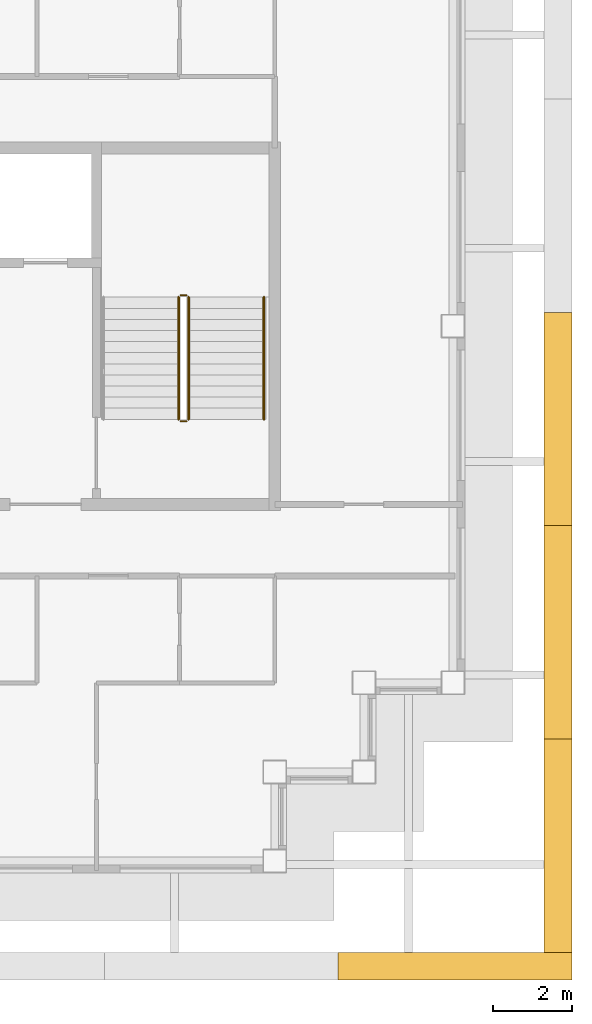
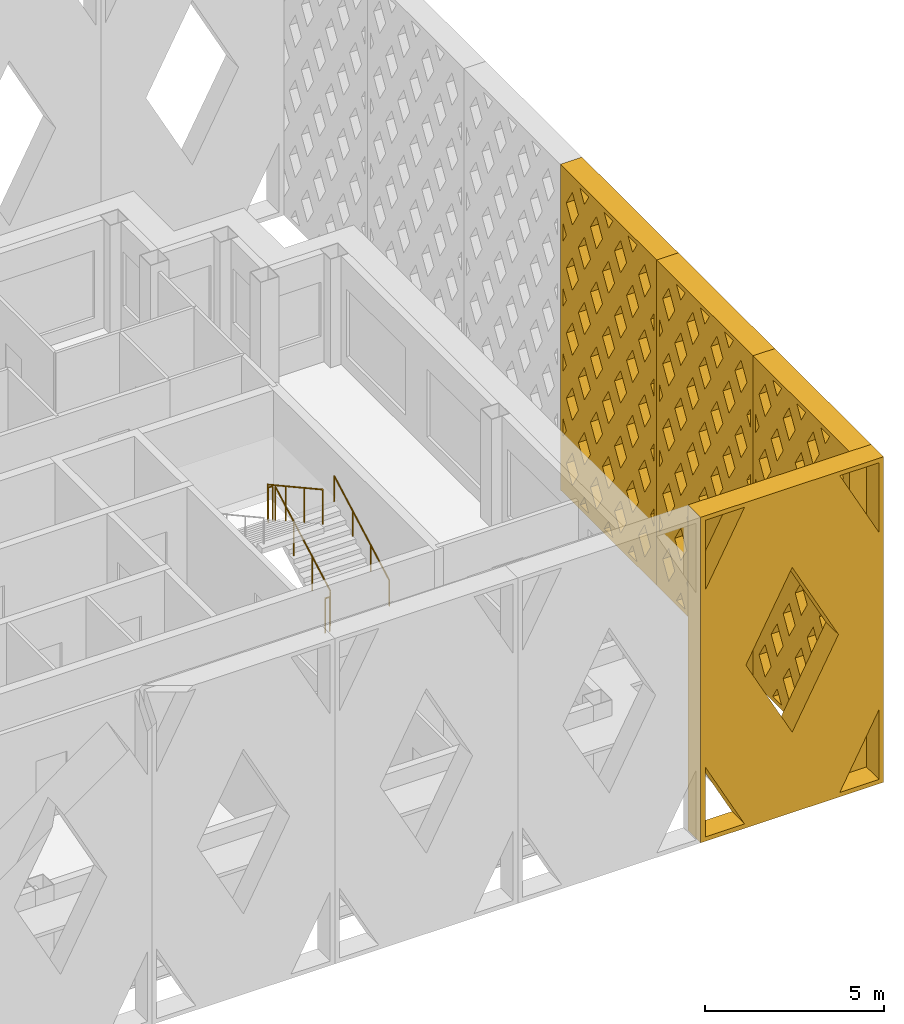
# One storey, part 12 of 13: 5 railings, 4 shading devices.
"""IFC4 building model written with IfcOpenShell, lengths in metres."""

from ifc_helpers import new_model, si_unit, direction, frame, origin, origin_2d, place, context, subcontext, project, spatial, polyline, circle, outline, extrude, material, type_object, element, save


model = new_model("IFC4")

# Units and contexts
model_context = context("Model", 3, precision=1e-05, world=origin(), true_north=direction((0.0, 1.0)))
body_context = subcontext(model_context, "Body", "Model", "MODEL_VIEW")
ifc_project = project(units=[si_unit("LENGTHUNIT", "METRE"), si_unit("AREAUNIT", "SQUARE_METRE"), si_unit("VOLUMEUNIT", "CUBIC_METRE"), si_unit("PLANEANGLEUNIT", "RADIAN"), si_unit("MASSUNIT", "GRAM", prefix="KILO")], contexts=[model_context])

# Site, building, storey
site_placement = place(None, origin())
site = spatial("IfcSite", under=ifc_project, at=site_placement, CompositionType="ELEMENT")
building_placement = place(site_placement, origin())
building = spatial("IfcBuilding", under=site, at=building_placement, Name="Caravel Reach Hotel and Residences", CompositionType="ELEMENT")
storey_placement = place(building_placement, frame((0.0, 0.0, 267.5)))
storey = spatial("IfcBuildingStorey", under=building, at=storey_placement, Name="L68", CompositionType="ELEMENT", Elevation=267.5)

# Shading devices
ifc_material_1 = material(Name="Black powder-coated aluminium", Category="aluminium")
shading_device_type_1 = type_object("IfcShadingDeviceType", Name="Diamond lattice screen panel 5383 x 11100", PredefinedType="USERDEFINED", material=ifc_material_1)
shading_device_1_placement = place(storey_placement, frame((51.800048828125, 11.199951171875, 0.0), z_axis=(1.0, 0.0, 0.0), x_axis=(0.0, 1.0, 0.0)))
element("IfcShadingDevice", 1, at=shading_device_1_placement, inside=storey, type_object=shading_device_type_1, Name="Lattice screen L68-L70 4.1", ObjectType="SCREEN", PredefinedType="USERDEFINED", context=body_context, shape_type="SweptSolid", body=[
    extrude(outline(polyline([(0.0, 0.0), (5.38330078125, 0.0), (5.38330078125, 11.10009765625), (0.0, 11.10009765625), (0.0, 0.0)]), holes=[polyline([(0.338134765625, 2.219970703125), (0.14990234375, 2.530517578125), (0.14990234375, 1.90966796875), (0.338134765625, 2.219970703125)]), polyline([(0.338134765625, 4.43994140625), (0.14990234375, 4.75048828125), (0.14990234375, 4.129638671875), (0.338134765625, 4.43994140625)]), polyline([(0.338134765625, 6.659912109375), (0.14990234375, 6.970458984375), (0.14990234375, 6.349609375), (0.338134765625, 6.659912109375)]), polyline([(0.338134765625, 8.8798828125), (0.14990234375, 9.1904296875), (0.14990234375, 8.569580078125), (0.338134765625, 8.8798828125)]), polyline([(0.6728515625, 1.667724609375), (0.334716796875, 1.110107421875), (0.6728515625, 0.55224609375), (1.010986328125, 1.110107421875), (0.6728515625, 1.667724609375)]), polyline([(0.6728515625, 3.887939453125), (0.334716796875, 3.330078125), (0.6728515625, 2.772216796875), (1.010986328125, 3.330078125), (0.6728515625, 3.887939453125)]), polyline([(0.6728515625, 6.10791015625), (0.334716796875, 5.550048828125), (0.6728515625, 4.9921875), (1.010986328125, 5.550048828125), (0.6728515625, 6.10791015625)]), polyline([(0.6728515625, 8.327880859375), (0.334716796875, 7.77001953125), (0.6728515625, 7.212158203125), (1.010986328125, 7.77001953125), (0.6728515625, 8.327880859375)]), polyline([(0.6728515625, 10.5478515625), (0.334716796875, 9.989990234375), (0.6728515625, 9.43212890625), (1.010986328125, 9.989990234375), (0.6728515625, 10.5478515625)]), polyline([(1.345947265625, 0.557861328125), (1.0986328125, 0.14990234375), (1.593017578125, 0.14990234375), (1.345947265625, 0.557861328125)]), polyline([(1.345947265625, 2.77783203125), (1.007568359375, 2.219970703125), (1.345947265625, 1.662109375), (1.68408203125, 2.219970703125), (1.345947265625, 2.77783203125)]), polyline([(1.345947265625, 4.997802734375), (1.007568359375, 4.43994140625), (1.345947265625, 3.882080078125), (1.68408203125, 4.43994140625), (1.345947265625, 4.997802734375)]), polyline([(1.345947265625, 7.2177734375), (1.007568359375, 6.659912109375), (1.345947265625, 6.10205078125), (1.68408203125, 6.659912109375), (1.345947265625, 7.2177734375)]), polyline([(1.345947265625, 9.437744140625), (1.007568359375, 8.8798828125), (1.345947265625, 8.322265625), (1.68408203125, 8.8798828125), (1.345947265625, 9.437744140625)]), polyline([(1.345947265625, 10.542236328125), (1.593017578125, 10.949951171875), (1.0986328125, 10.949951171875), (1.345947265625, 10.542236328125)]), polyline([(2.018798828125, 1.667724609375), (1.6806640625, 1.110107421875), (2.018798828125, 0.55224609375), (2.35693359375, 1.110107421875), (2.018798828125, 1.667724609375)]), polyline([(2.018798828125, 3.887939453125), (1.6806640625, 3.330078125), (2.018798828125, 2.772216796875), (2.35693359375, 3.330078125), (2.018798828125, 3.887939453125)]), polyline([(2.018798828125, 6.10791015625), (1.6806640625, 5.550048828125), (2.018798828125, 4.9921875), (2.35693359375, 5.550048828125), (2.018798828125, 6.10791015625)]), polyline([(2.018798828125, 8.327880859375), (1.6806640625, 7.77001953125), (2.018798828125, 7.212158203125), (2.35693359375, 7.77001953125), (2.018798828125, 8.327880859375)]), polyline([(2.018798828125, 10.5478515625), (1.6806640625, 9.989990234375), (2.018798828125, 9.43212890625), (2.35693359375, 9.989990234375), (2.018798828125, 10.5478515625)]), polyline([(2.691650390625, 0.557861328125), (2.4443359375, 0.14990234375), (2.93896484375, 0.14990234375), (2.691650390625, 0.557861328125)]), polyline([(2.691650390625, 2.77783203125), (2.353515625, 2.219970703125), (2.691650390625, 1.662109375), (3.02978515625, 2.219970703125), (2.691650390625, 2.77783203125)]), polyline([(2.691650390625, 4.997802734375), (2.353515625, 4.43994140625), (2.691650390625, 3.882080078125), (3.02978515625, 4.43994140625), (2.691650390625, 4.997802734375)]), polyline([(2.691650390625, 7.2177734375), (2.353515625, 6.659912109375), (2.691650390625, 6.10205078125), (3.02978515625, 6.659912109375), (2.691650390625, 7.2177734375)]), polyline([(2.691650390625, 9.437744140625), (2.353515625, 8.8798828125), (2.691650390625, 8.322265625), (3.02978515625, 8.8798828125), (2.691650390625, 9.437744140625)]), polyline([(2.691650390625, 10.542236328125), (2.93896484375, 10.949951171875), (2.4443359375, 10.949951171875), (2.691650390625, 10.542236328125)]), polyline([(3.364501953125, 1.667724609375), (3.0263671875, 1.110107421875), (3.364501953125, 0.55224609375), (3.702880859375, 1.110107421875), (3.364501953125, 1.667724609375)]), polyline([(3.364501953125, 3.887939453125), (3.0263671875, 3.330078125), (3.364501953125, 2.772216796875), (3.702880859375, 3.330078125), (3.364501953125, 3.887939453125)]), polyline([(3.364501953125, 6.10791015625), (3.0263671875, 5.550048828125), (3.364501953125, 4.9921875), (3.702880859375, 5.550048828125), (3.364501953125, 6.10791015625)]), polyline([(3.364501953125, 8.327880859375), (3.0263671875, 7.77001953125), (3.364501953125, 7.212158203125), (3.702880859375, 7.77001953125), (3.364501953125, 8.327880859375)]), polyline([(3.364501953125, 10.5478515625), (3.0263671875, 9.989990234375), (3.364501953125, 9.43212890625), (3.702880859375, 9.989990234375), (3.364501953125, 10.5478515625)]), polyline([(4.03759765625, 0.557861328125), (3.790283203125, 0.14990234375), (4.28466796875, 0.14990234375), (4.03759765625, 0.557861328125)]), polyline([(4.03759765625, 2.77783203125), (3.69921875, 2.219970703125), (4.03759765625, 1.662109375), (4.375732421875, 2.219970703125), (4.03759765625, 2.77783203125)]), polyline([(4.03759765625, 4.997802734375), (3.69921875, 4.43994140625), (4.03759765625, 3.882080078125), (4.375732421875, 4.43994140625), (4.03759765625, 4.997802734375)]), polyline([(4.03759765625, 7.2177734375), (3.69921875, 6.659912109375), (4.03759765625, 6.10205078125), (4.375732421875, 6.659912109375), (4.03759765625, 7.2177734375)]), polyline([(4.03759765625, 9.437744140625), (3.69921875, 8.8798828125), (4.03759765625, 8.322265625), (4.375732421875, 8.8798828125), (4.03759765625, 9.437744140625)]), polyline([(4.03759765625, 10.542236328125), (4.28466796875, 10.949951171875), (3.790283203125, 10.949951171875), (4.03759765625, 10.542236328125)]), polyline([(4.71044921875, 1.667724609375), (4.372314453125, 1.110107421875), (4.71044921875, 0.55224609375), (5.048583984375, 1.110107421875), (4.71044921875, 1.667724609375)]), polyline([(4.71044921875, 3.887939453125), (4.372314453125, 3.330078125), (4.71044921875, 2.772216796875), (5.048583984375, 3.330078125), (4.71044921875, 3.887939453125)]), polyline([(4.71044921875, 6.10791015625), (4.372314453125, 5.550048828125), (4.71044921875, 4.9921875), (5.048583984375, 5.550048828125), (4.71044921875, 6.10791015625)]), polyline([(4.71044921875, 8.327880859375), (4.372314453125, 7.77001953125), (4.71044921875, 7.212158203125), (5.048583984375, 7.77001953125), (4.71044921875, 8.327880859375)]), polyline([(4.71044921875, 10.5478515625), (4.372314453125, 9.989990234375), (4.71044921875, 9.43212890625), (5.048583984375, 9.989990234375), (4.71044921875, 10.5478515625)]), polyline([(5.045166015625, 2.219970703125), (5.2333984375, 1.90966796875), (5.2333984375, 2.530517578125), (5.045166015625, 2.219970703125)]), polyline([(5.045166015625, 4.43994140625), (5.2333984375, 4.129638671875), (5.2333984375, 4.75048828125), (5.045166015625, 4.43994140625)]), polyline([(5.045166015625, 6.659912109375), (5.2333984375, 6.349609375), (5.2333984375, 6.970458984375), (5.045166015625, 6.659912109375)]), polyline([(5.045166015625, 8.8798828125), (5.2333984375, 8.569580078125), (5.2333984375, 9.1904296875), (5.045166015625, 8.8798828125)])]), origin(), (0.0, 0.0, 1.0), 0.699951171875),
])
shading_device_2_placement = place(storey_placement, frame((51.800048828125, 16.583251953125, 0.0), z_axis=(1.0, 0.0, 0.0), x_axis=(0.0, 1.0, 0.0)))
element("IfcShadingDevice", 2, at=shading_device_2_placement, inside=storey, type_object=shading_device_type_1, Name="Lattice screen L68-L70 4.2", ObjectType="SCREEN", PredefinedType="USERDEFINED", context=body_context, shape_type="SweptSolid", body=[
    extrude(outline(polyline([(0.0, 0.0), (5.38330078125, 0.0), (5.38330078125, 11.10009765625), (0.0, 11.10009765625), (0.0, 0.0)]), holes=[polyline([(0.338134765625, 2.219970703125), (0.14990234375, 2.530517578125), (0.14990234375, 1.90966796875), (0.338134765625, 2.219970703125)]), polyline([(0.338134765625, 4.43994140625), (0.14990234375, 4.75048828125), (0.14990234375, 4.129638671875), (0.338134765625, 4.43994140625)]), polyline([(0.338134765625, 6.659912109375), (0.14990234375, 6.970458984375), (0.14990234375, 6.349609375), (0.338134765625, 6.659912109375)]), polyline([(0.338134765625, 8.8798828125), (0.14990234375, 9.1904296875), (0.14990234375, 8.569580078125), (0.338134765625, 8.8798828125)]), polyline([(0.6728515625, 1.667724609375), (0.334716796875, 1.110107421875), (0.6728515625, 0.55224609375), (1.010986328125, 1.110107421875), (0.6728515625, 1.667724609375)]), polyline([(0.6728515625, 3.887939453125), (0.334716796875, 3.330078125), (0.6728515625, 2.772216796875), (1.010986328125, 3.330078125), (0.6728515625, 3.887939453125)]), polyline([(0.6728515625, 6.10791015625), (0.334716796875, 5.550048828125), (0.6728515625, 4.9921875), (1.010986328125, 5.550048828125), (0.6728515625, 6.10791015625)]), polyline([(0.6728515625, 8.327880859375), (0.334716796875, 7.77001953125), (0.6728515625, 7.212158203125), (1.010986328125, 7.77001953125), (0.6728515625, 8.327880859375)]), polyline([(0.6728515625, 10.5478515625), (0.334716796875, 9.989990234375), (0.6728515625, 9.43212890625), (1.010986328125, 9.989990234375), (0.6728515625, 10.5478515625)]), polyline([(1.345947265625, 0.557861328125), (1.0986328125, 0.14990234375), (1.593017578125, 0.14990234375), (1.345947265625, 0.557861328125)]), polyline([(1.345947265625, 2.77783203125), (1.007568359375, 2.219970703125), (1.345947265625, 1.662109375), (1.68408203125, 2.219970703125), (1.345947265625, 2.77783203125)]), polyline([(1.345947265625, 4.997802734375), (1.007568359375, 4.43994140625), (1.345947265625, 3.882080078125), (1.68408203125, 4.43994140625), (1.345947265625, 4.997802734375)]), polyline([(1.345947265625, 7.2177734375), (1.007568359375, 6.659912109375), (1.345947265625, 6.10205078125), (1.68408203125, 6.659912109375), (1.345947265625, 7.2177734375)]), polyline([(1.345947265625, 9.437744140625), (1.007568359375, 8.8798828125), (1.345947265625, 8.322265625), (1.68408203125, 8.8798828125), (1.345947265625, 9.437744140625)]), polyline([(1.345947265625, 10.542236328125), (1.593017578125, 10.949951171875), (1.0986328125, 10.949951171875), (1.345947265625, 10.542236328125)]), polyline([(2.018798828125, 1.667724609375), (1.6806640625, 1.110107421875), (2.018798828125, 0.55224609375), (2.35693359375, 1.110107421875), (2.018798828125, 1.667724609375)]), polyline([(2.018798828125, 3.887939453125), (1.6806640625, 3.330078125), (2.018798828125, 2.772216796875), (2.35693359375, 3.330078125), (2.018798828125, 3.887939453125)]), polyline([(2.018798828125, 6.10791015625), (1.6806640625, 5.550048828125), (2.018798828125, 4.9921875), (2.35693359375, 5.550048828125), (2.018798828125, 6.10791015625)]), polyline([(2.018798828125, 8.327880859375), (1.6806640625, 7.77001953125), (2.018798828125, 7.212158203125), (2.35693359375, 7.77001953125), (2.018798828125, 8.327880859375)]), polyline([(2.018798828125, 10.5478515625), (1.6806640625, 9.989990234375), (2.018798828125, 9.43212890625), (2.35693359375, 9.989990234375), (2.018798828125, 10.5478515625)]), polyline([(2.691650390625, 0.557861328125), (2.4443359375, 0.14990234375), (2.93896484375, 0.14990234375), (2.691650390625, 0.557861328125)]), polyline([(2.691650390625, 2.77783203125), (2.353515625, 2.219970703125), (2.691650390625, 1.662109375), (3.02978515625, 2.219970703125), (2.691650390625, 2.77783203125)]), polyline([(2.691650390625, 4.997802734375), (2.353515625, 4.43994140625), (2.691650390625, 3.882080078125), (3.02978515625, 4.43994140625), (2.691650390625, 4.997802734375)]), polyline([(2.691650390625, 7.2177734375), (2.353515625, 6.659912109375), (2.691650390625, 6.10205078125), (3.02978515625, 6.659912109375), (2.691650390625, 7.2177734375)]), polyline([(2.691650390625, 9.437744140625), (2.353515625, 8.8798828125), (2.691650390625, 8.322265625), (3.02978515625, 8.8798828125), (2.691650390625, 9.437744140625)]), polyline([(2.691650390625, 10.542236328125), (2.93896484375, 10.949951171875), (2.4443359375, 10.949951171875), (2.691650390625, 10.542236328125)]), polyline([(3.364501953125, 1.667724609375), (3.0263671875, 1.110107421875), (3.364501953125, 0.55224609375), (3.702880859375, 1.110107421875), (3.364501953125, 1.667724609375)]), polyline([(3.364501953125, 3.887939453125), (3.0263671875, 3.330078125), (3.364501953125, 2.772216796875), (3.702880859375, 3.330078125), (3.364501953125, 3.887939453125)]), polyline([(3.364501953125, 6.10791015625), (3.0263671875, 5.550048828125), (3.364501953125, 4.9921875), (3.702880859375, 5.550048828125), (3.364501953125, 6.10791015625)]), polyline([(3.364501953125, 8.327880859375), (3.0263671875, 7.77001953125), (3.364501953125, 7.212158203125), (3.702880859375, 7.77001953125), (3.364501953125, 8.327880859375)]), polyline([(3.364501953125, 10.5478515625), (3.0263671875, 9.989990234375), (3.364501953125, 9.43212890625), (3.702880859375, 9.989990234375), (3.364501953125, 10.5478515625)]), polyline([(4.03759765625, 0.557861328125), (3.790283203125, 0.14990234375), (4.28466796875, 0.14990234375), (4.03759765625, 0.557861328125)]), polyline([(4.03759765625, 2.77783203125), (3.69921875, 2.219970703125), (4.03759765625, 1.662109375), (4.375732421875, 2.219970703125), (4.03759765625, 2.77783203125)]), polyline([(4.03759765625, 4.997802734375), (3.69921875, 4.43994140625), (4.03759765625, 3.882080078125), (4.375732421875, 4.43994140625), (4.03759765625, 4.997802734375)]), polyline([(4.03759765625, 7.2177734375), (3.69921875, 6.659912109375), (4.03759765625, 6.10205078125), (4.375732421875, 6.659912109375), (4.03759765625, 7.2177734375)]), polyline([(4.03759765625, 9.437744140625), (3.69921875, 8.8798828125), (4.03759765625, 8.322265625), (4.375732421875, 8.8798828125), (4.03759765625, 9.437744140625)]), polyline([(4.03759765625, 10.542236328125), (4.28466796875, 10.949951171875), (3.790283203125, 10.949951171875), (4.03759765625, 10.542236328125)]), polyline([(4.71044921875, 1.667724609375), (4.372314453125, 1.110107421875), (4.71044921875, 0.55224609375), (5.048583984375, 1.110107421875), (4.71044921875, 1.667724609375)]), polyline([(4.71044921875, 3.887939453125), (4.372314453125, 3.330078125), (4.71044921875, 2.772216796875), (5.048583984375, 3.330078125), (4.71044921875, 3.887939453125)]), polyline([(4.71044921875, 6.10791015625), (4.372314453125, 5.550048828125), (4.71044921875, 4.9921875), (5.048583984375, 5.550048828125), (4.71044921875, 6.10791015625)]), polyline([(4.71044921875, 8.327880859375), (4.372314453125, 7.77001953125), (4.71044921875, 7.212158203125), (5.048583984375, 7.77001953125), (4.71044921875, 8.327880859375)]), polyline([(4.71044921875, 10.5478515625), (4.372314453125, 9.989990234375), (4.71044921875, 9.43212890625), (5.048583984375, 9.989990234375), (4.71044921875, 10.5478515625)]), polyline([(5.045166015625, 2.219970703125), (5.2333984375, 1.90966796875), (5.2333984375, 2.530517578125), (5.045166015625, 2.219970703125)]), polyline([(5.045166015625, 4.43994140625), (5.2333984375, 4.129638671875), (5.2333984375, 4.75048828125), (5.045166015625, 4.43994140625)]), polyline([(5.045166015625, 6.659912109375), (5.2333984375, 6.349609375), (5.2333984375, 6.970458984375), (5.045166015625, 6.659912109375)]), polyline([(5.045166015625, 8.8798828125), (5.2333984375, 8.569580078125), (5.2333984375, 9.1904296875), (5.045166015625, 8.8798828125)])]), origin(), (0.0, 0.0, 1.0), 0.699951171875),
])
shading_device_3_placement = place(storey_placement, frame((51.800048828125, 21.966552734375, 0.0), z_axis=(1.0, 0.0, 0.0), x_axis=(0.0, 1.0, 0.0)))
element("IfcShadingDevice", 3, at=shading_device_3_placement, inside=storey, type_object=shading_device_type_1, Name="Lattice screen L68-L70 4.3", ObjectType="SCREEN", PredefinedType="USERDEFINED", context=body_context, shape_type="SweptSolid", body=[
    extrude(outline(polyline([(0.0, 0.0), (5.38330078125, 0.0), (5.38330078125, 11.10009765625), (0.0, 11.10009765625), (0.0, 0.0)]), holes=[polyline([(0.338134765625, 2.219970703125), (0.14990234375, 2.530517578125), (0.14990234375, 1.90966796875), (0.338134765625, 2.219970703125)]), polyline([(0.338134765625, 4.43994140625), (0.14990234375, 4.75048828125), (0.14990234375, 4.129638671875), (0.338134765625, 4.43994140625)]), polyline([(0.338134765625, 6.659912109375), (0.14990234375, 6.970458984375), (0.14990234375, 6.349609375), (0.338134765625, 6.659912109375)]), polyline([(0.338134765625, 8.8798828125), (0.14990234375, 9.1904296875), (0.14990234375, 8.569580078125), (0.338134765625, 8.8798828125)]), polyline([(0.6728515625, 1.667724609375), (0.334716796875, 1.110107421875), (0.6728515625, 0.55224609375), (1.010986328125, 1.110107421875), (0.6728515625, 1.667724609375)]), polyline([(0.6728515625, 3.887939453125), (0.334716796875, 3.330078125), (0.6728515625, 2.772216796875), (1.010986328125, 3.330078125), (0.6728515625, 3.887939453125)]), polyline([(0.6728515625, 6.10791015625), (0.334716796875, 5.550048828125), (0.6728515625, 4.9921875), (1.010986328125, 5.550048828125), (0.6728515625, 6.10791015625)]), polyline([(0.6728515625, 8.327880859375), (0.334716796875, 7.77001953125), (0.6728515625, 7.212158203125), (1.010986328125, 7.77001953125), (0.6728515625, 8.327880859375)]), polyline([(0.6728515625, 10.5478515625), (0.334716796875, 9.989990234375), (0.6728515625, 9.43212890625), (1.010986328125, 9.989990234375), (0.6728515625, 10.5478515625)]), polyline([(1.345947265625, 0.557861328125), (1.0986328125, 0.14990234375), (1.593017578125, 0.14990234375), (1.345947265625, 0.557861328125)]), polyline([(1.345947265625, 2.77783203125), (1.007568359375, 2.219970703125), (1.345947265625, 1.662109375), (1.68408203125, 2.219970703125), (1.345947265625, 2.77783203125)]), polyline([(1.345947265625, 4.997802734375), (1.007568359375, 4.43994140625), (1.345947265625, 3.882080078125), (1.68408203125, 4.43994140625), (1.345947265625, 4.997802734375)]), polyline([(1.345947265625, 7.2177734375), (1.007568359375, 6.659912109375), (1.345947265625, 6.10205078125), (1.68408203125, 6.659912109375), (1.345947265625, 7.2177734375)]), polyline([(1.345947265625, 9.437744140625), (1.007568359375, 8.8798828125), (1.345947265625, 8.322265625), (1.68408203125, 8.8798828125), (1.345947265625, 9.437744140625)]), polyline([(1.345947265625, 10.542236328125), (1.593017578125, 10.949951171875), (1.0986328125, 10.949951171875), (1.345947265625, 10.542236328125)]), polyline([(2.018798828125, 1.667724609375), (1.6806640625, 1.110107421875), (2.018798828125, 0.55224609375), (2.35693359375, 1.110107421875), (2.018798828125, 1.667724609375)]), polyline([(2.018798828125, 3.887939453125), (1.6806640625, 3.330078125), (2.018798828125, 2.772216796875), (2.35693359375, 3.330078125), (2.018798828125, 3.887939453125)]), polyline([(2.018798828125, 6.10791015625), (1.6806640625, 5.550048828125), (2.018798828125, 4.9921875), (2.35693359375, 5.550048828125), (2.018798828125, 6.10791015625)]), polyline([(2.018798828125, 8.327880859375), (1.6806640625, 7.77001953125), (2.018798828125, 7.212158203125), (2.35693359375, 7.77001953125), (2.018798828125, 8.327880859375)]), polyline([(2.018798828125, 10.5478515625), (1.6806640625, 9.989990234375), (2.018798828125, 9.43212890625), (2.35693359375, 9.989990234375), (2.018798828125, 10.5478515625)]), polyline([(2.691650390625, 0.557861328125), (2.4443359375, 0.14990234375), (2.93896484375, 0.14990234375), (2.691650390625, 0.557861328125)]), polyline([(2.691650390625, 2.77783203125), (2.353515625, 2.219970703125), (2.691650390625, 1.662109375), (3.02978515625, 2.219970703125), (2.691650390625, 2.77783203125)]), polyline([(2.691650390625, 4.997802734375), (2.353515625, 4.43994140625), (2.691650390625, 3.882080078125), (3.02978515625, 4.43994140625), (2.691650390625, 4.997802734375)]), polyline([(2.691650390625, 7.2177734375), (2.353515625, 6.659912109375), (2.691650390625, 6.10205078125), (3.02978515625, 6.659912109375), (2.691650390625, 7.2177734375)]), polyline([(2.691650390625, 9.437744140625), (2.353515625, 8.8798828125), (2.691650390625, 8.322265625), (3.02978515625, 8.8798828125), (2.691650390625, 9.437744140625)]), polyline([(2.691650390625, 10.542236328125), (2.93896484375, 10.949951171875), (2.4443359375, 10.949951171875), (2.691650390625, 10.542236328125)]), polyline([(3.364501953125, 1.667724609375), (3.0263671875, 1.110107421875), (3.364501953125, 0.55224609375), (3.702880859375, 1.110107421875), (3.364501953125, 1.667724609375)]), polyline([(3.364501953125, 3.887939453125), (3.0263671875, 3.330078125), (3.364501953125, 2.772216796875), (3.702880859375, 3.330078125), (3.364501953125, 3.887939453125)]), polyline([(3.364501953125, 6.10791015625), (3.0263671875, 5.550048828125), (3.364501953125, 4.9921875), (3.702880859375, 5.550048828125), (3.364501953125, 6.10791015625)]), polyline([(3.364501953125, 8.327880859375), (3.0263671875, 7.77001953125), (3.364501953125, 7.212158203125), (3.702880859375, 7.77001953125), (3.364501953125, 8.327880859375)]), polyline([(3.364501953125, 10.5478515625), (3.0263671875, 9.989990234375), (3.364501953125, 9.43212890625), (3.702880859375, 9.989990234375), (3.364501953125, 10.5478515625)]), polyline([(4.03759765625, 0.557861328125), (3.790283203125, 0.14990234375), (4.28466796875, 0.14990234375), (4.03759765625, 0.557861328125)]), polyline([(4.03759765625, 2.77783203125), (3.69921875, 2.219970703125), (4.03759765625, 1.662109375), (4.375732421875, 2.219970703125), (4.03759765625, 2.77783203125)]), polyline([(4.03759765625, 4.997802734375), (3.69921875, 4.43994140625), (4.03759765625, 3.882080078125), (4.375732421875, 4.43994140625), (4.03759765625, 4.997802734375)]), polyline([(4.03759765625, 7.2177734375), (3.69921875, 6.659912109375), (4.03759765625, 6.10205078125), (4.375732421875, 6.659912109375), (4.03759765625, 7.2177734375)]), polyline([(4.03759765625, 9.437744140625), (3.69921875, 8.8798828125), (4.03759765625, 8.322265625), (4.375732421875, 8.8798828125), (4.03759765625, 9.437744140625)]), polyline([(4.03759765625, 10.542236328125), (4.28466796875, 10.949951171875), (3.790283203125, 10.949951171875), (4.03759765625, 10.542236328125)]), polyline([(4.71044921875, 1.667724609375), (4.372314453125, 1.110107421875), (4.71044921875, 0.55224609375), (5.048583984375, 1.110107421875), (4.71044921875, 1.667724609375)]), polyline([(4.71044921875, 3.887939453125), (4.372314453125, 3.330078125), (4.71044921875, 2.772216796875), (5.048583984375, 3.330078125), (4.71044921875, 3.887939453125)]), polyline([(4.71044921875, 6.10791015625), (4.372314453125, 5.550048828125), (4.71044921875, 4.9921875), (5.048583984375, 5.550048828125), (4.71044921875, 6.10791015625)]), polyline([(4.71044921875, 8.327880859375), (4.372314453125, 7.77001953125), (4.71044921875, 7.212158203125), (5.048583984375, 7.77001953125), (4.71044921875, 8.327880859375)]), polyline([(4.71044921875, 10.5478515625), (4.372314453125, 9.989990234375), (4.71044921875, 9.43212890625), (5.048583984375, 9.989990234375), (4.71044921875, 10.5478515625)]), polyline([(5.045166015625, 2.219970703125), (5.2333984375, 1.90966796875), (5.2333984375, 2.530517578125), (5.045166015625, 2.219970703125)]), polyline([(5.045166015625, 4.43994140625), (5.2333984375, 4.129638671875), (5.2333984375, 4.75048828125), (5.045166015625, 4.43994140625)]), polyline([(5.045166015625, 6.659912109375), (5.2333984375, 6.349609375), (5.2333984375, 6.970458984375), (5.045166015625, 6.659912109375)]), polyline([(5.045166015625, 8.8798828125), (5.2333984375, 8.569580078125), (5.2333984375, 9.1904296875), (5.045166015625, 8.8798828125)])]), origin(), (0.0, 0.0, 1.0), 0.699951171875),
])
ifc_material_2 = material(Name="Black powder-coated aluminium", Category="aluminium")
shading_device_type_2 = type_object("IfcShadingDeviceType", Name="Diamond lattice screen panel 5900 x 11100", PredefinedType="USERDEFINED", material=ifc_material_2)
shading_device_4_placement = place(storey_placement, frame((46.60009765625, 11.199951171875, 0.0), z_axis=(0.0, -1.0, 0.0), x_axis=(1.0, 0.0, 0.0)))
element("IfcShadingDevice", 4, at=shading_device_4_placement, inside=storey, type_object=shading_device_type_2, Name="Lattice screen L68-L70 3.7", ObjectType="SCREEN", PredefinedType="USERDEFINED", context=body_context, shape_type="SweptSolid", body=[
    extrude(outline(polyline([(0.0, 0.0), (5.89990234375, 0.0), (5.89990234375, 11.10009765625), (0.0, 11.10009765625), (0.0, 0.0)]), holes=[polyline([(1.4140625, 0.14990234375), (0.14990234375, 2.528076171875), (0.14990234375, 0.14990234375), (1.4140625, 0.14990234375)]), polyline([(0.14990234375, 8.572021484375), (1.4140625, 10.949951171875), (0.14990234375, 10.949951171875), (0.14990234375, 8.572021484375)]), polyline([(2.949951171875, 8.3603515625), (1.456298828125, 5.550048828125), (2.949951171875, 2.73974609375), (4.44384765625, 5.550048828125), (2.949951171875, 8.3603515625)]), polyline([(5.75, 2.528076171875), (4.486083984375, 0.14990234375), (5.75, 0.14990234375), (5.75, 2.528076171875)]), polyline([(4.486083984375, 10.949951171875), (5.75, 8.572021484375), (5.75, 10.949951171875), (4.486083984375, 10.949951171875)])]), origin(), (0.0, 0.0, 1.0), 0.699951171875),
])

# Railings
ifc_material_3 = material(Name="Steel balustrade with glass infill", Category="steel")
railing_type_1 = type_object("IfcRailingType", Name="Guard 1200", PredefinedType="GUARDRAIL", material=ifc_material_3)
railing_1_placement = place(storey_placement, frame((42.824951171875, 24.64990234375, 0.154052734375)))
element("IfcRailing", 5, at=railing_1_placement, inside=storey, type_object=railing_type_1, Name="L68 ST-B stair guard 1", PredefinedType="GUARDRAIL", context=body_context, shape_type="SweptSolid", body=[
    extrude(circle(Radius=0.02392578125, at=origin_2d()), frame((0.0, 0.0, 1.17578125), z_axis=(0.0, 0.875975380505, 0.482355815502), x_axis=(-1.0, 0.0, 0.0)), (0.0, 0.0, 1.0), 3.51611328125),
    extrude(circle(Radius=0.02099609375, at=origin_2d()), origin(), (0.0, 0.0, 1.0), 1.15185546875),
    extrude(circle(Radius=0.02099609375, at=origin_2d()), frame((0.0, 1.026611328125, 0.5654296875)), (0.0, 0.0, 1.0), 1.15185546875),
    extrude(circle(Radius=0.02099609375, at=origin_2d()), frame((0.0, 2.053466796875, 1.130615234375)), (0.0, 0.0, 1.0), 1.15185546875),
    extrude(circle(Radius=0.02099609375, at=origin_2d()), frame((0.0, 3.080078125, 1.696044921875)), (0.0, 0.0, 1.0), 1.15185546875),
])
railing_2_placement = place(storey_placement, frame((42.77490234375, 27.780029296875, 1.85009765625)))
element("IfcRailing", 6, at=railing_2_placement, inside=storey, type_object=railing_type_1, Name="L68 ST-B stair guard 2", PredefinedType="GUARDRAIL", context=body_context, shape_type="SweptSolid", body=[
    extrude(circle(Radius=0.02392578125, at=origin_2d()), frame((0.0, 0.0, 1.17578125), z_axis=(-1.0, 0.0, 0.0), x_axis=(0.0, -1.0, 0.0)), (0.0, 0.0, 1.0), 0.14990234375),
    extrude(circle(Radius=0.02099609375, at=origin_2d()), origin(), (0.0, 0.0, 1.0), 1.15185546875),
    extrude(circle(Radius=0.02099609375, at=origin_2d()), frame((-0.14990234375, 0.0, 0.0)), (0.0, 0.0, 1.0), 1.15185546875),
])
railing_3_placement = place(storey_placement, frame((42.574951171875, 27.72998046875, 2.004150390625)))
element("IfcRailing", 7, at=railing_3_placement, inside=storey, type_object=railing_type_1, Name="L68 ST-B stair guard 3", PredefinedType="GUARDRAIL", context=body_context, shape_type="SweptSolid", body=[
    extrude(circle(Radius=0.02392578125, at=origin_2d()), frame((0.0, 0.0, 1.17578125), z_axis=(0.0, -0.876004717809, 0.482302534076), x_axis=(1.0, 0.0, 0.0)), (0.0, 0.0, 1.0), 3.51611328125),
    extrude(circle(Radius=0.02099609375, at=origin_2d()), origin(), (0.0, 0.0, 1.0), 1.15185546875),
    extrude(circle(Radius=0.02099609375, at=origin_2d()), frame((0.0, -1.026611328125, 0.565185546875)), (0.0, 0.0, 1.0), 1.15185546875),
    extrude(circle(Radius=0.02099609375, at=origin_2d()), frame((0.0, -2.053466796875, 1.130615234375)), (0.0, 0.0, 1.0), 1.15185546875),
    extrude(circle(Radius=0.02099609375, at=origin_2d()), frame((0.0, -3.080078125, 1.69580078125)), (0.0, 0.0, 1.0), 1.15185546875),
])
railing_4_placement = place(storey_placement, frame((42.77490234375, 24.60009765625, 0.0)))
element("IfcRailing", 8, at=railing_4_placement, inside=storey, type_object=railing_type_1, Name="L68 ST-B stair guard 4", PredefinedType="GUARDRAIL", context=body_context, shape_type="SweptSolid", body=[
    extrude(circle(Radius=0.02392578125, at=origin_2d()), frame((0.0, 0.0, 1.17578125), z_axis=(-1.0, 0.0, 0.0), x_axis=(0.0, -1.0, 0.0)), (0.0, 0.0, 1.0), 0.14990234375),
    extrude(circle(Radius=0.02099609375, at=origin_2d()), origin(), (0.0, 0.0, 1.0), 1.15185546875),
    extrude(circle(Radius=0.02099609375, at=origin_2d()), frame((-0.14990234375, 0.0, 0.0)), (0.0, 0.0, 1.0), 1.15185546875),
])
ifc_material_4 = material(Name="Stainless steel handrail", Category="steel")
railing_type_2 = type_object("IfcRailingType", Name="Handrail 900", PredefinedType="HANDRAIL", material=ifc_material_4)
railing_5_placement = place(storey_placement, frame((44.72509765625, 24.64990234375, 0.154052734375)))
element("IfcRailing", 9, at=railing_5_placement, inside=storey, type_object=railing_type_2, Name="L68 ST-B stair handrail 1", PredefinedType="HANDRAIL", context=body_context, shape_type="SweptSolid", body=[
    extrude(circle(Radius=0.02392578125, at=origin_2d()), frame((0.0, 0.0, 0.8759765625), z_axis=(0.0, 0.875975380505, 0.482355815502), x_axis=(-1.0, 0.0, 0.0)), (0.0, 0.0, 1.0), 3.51611328125),
    extrude(circle(Radius=0.02099609375, at=origin_2d()), origin(), (0.0, 0.0, 1.0), 0.851806640625),
    extrude(circle(Radius=0.02099609375, at=origin_2d()), frame((0.0, 1.026611328125, 0.5654296875)), (0.0, 0.0, 1.0), 0.851806640625),
    extrude(circle(Radius=0.02099609375, at=origin_2d()), frame((0.0, 2.053466796875, 1.130615234375)), (0.0, 0.0, 1.0), 0.851806640625),
    extrude(circle(Radius=0.02099609375, at=origin_2d()), frame((0.0, 3.080078125, 1.696044921875)), (0.0, 0.0, 1.0), 0.851806640625),
])

save(model, "model.ifc")
